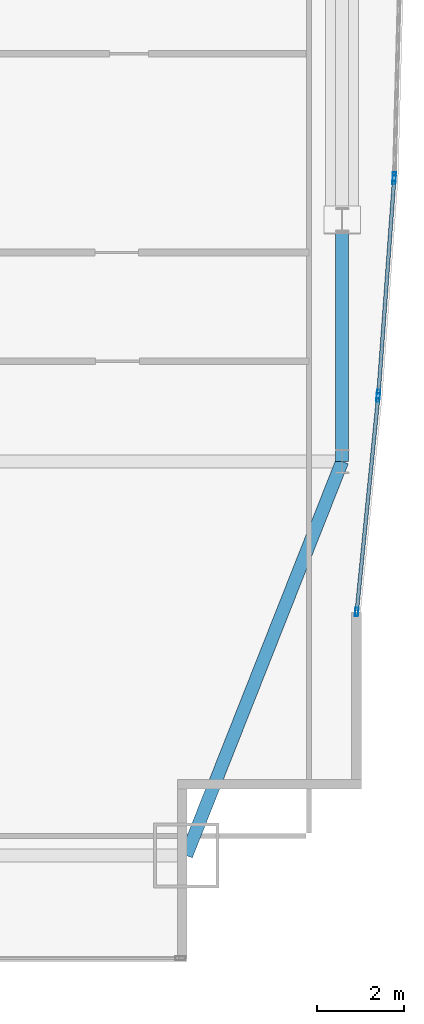
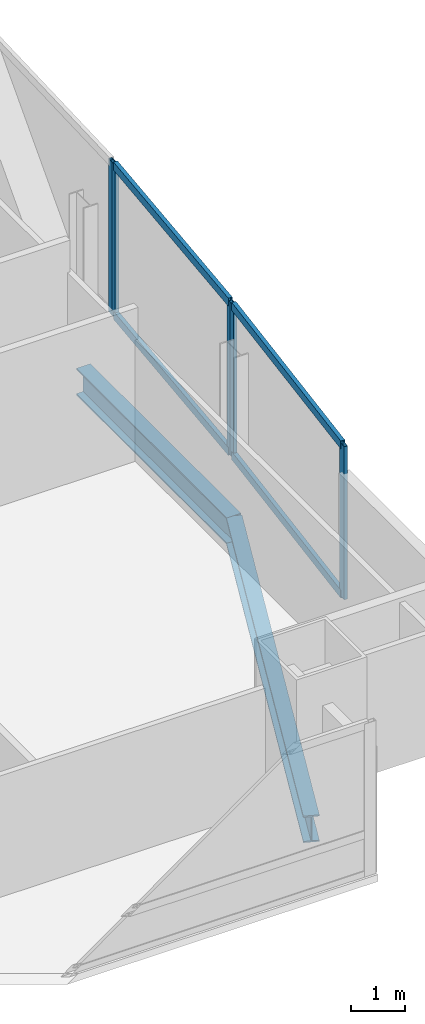
# One storey, part 21 of 31: 9 members, 2 beams, 3 elements without a shape of their own.
"""IFC4 building model written with IfcOpenShell, lengths in metres."""

from ifc_helpers import new_model, si_unit, direction, frame, origin, origin_2d, place, context, subcontext, project, spatial, hollow_rectangle, i_section, extrude, material, material_profile, profile_set, type_object, element, aggregate, save


model = new_model("IFC4")

# Units and contexts
model_context = context("Model", 3, precision=1e-05, world=origin(), true_north=direction((0.0, 1.0)))
body_context = subcontext(model_context, "Body", "Model", "MODEL_VIEW")
ifc_project = project(units=[si_unit("LENGTHUNIT", "METRE"), si_unit("AREAUNIT", "SQUARE_METRE"), si_unit("VOLUMEUNIT", "CUBIC_METRE"), si_unit("PLANEANGLEUNIT", "RADIAN"), si_unit("MASSUNIT", "GRAM", prefix="KILO")], contexts=[model_context])

# Site, building, storey
site_placement = place(None, origin())
site = spatial("IfcSite", under=ifc_project, at=site_placement, CompositionType="ELEMENT")
building_placement = place(site_placement, origin())
building = spatial("IfcBuilding", under=site, at=building_placement, Name="Khoronbel Lancet Exchange", CompositionType="ELEMENT")
storey_placement = place(building_placement, frame((0.0, 0.0, 129.0)))
storey = spatial("IfcBuildingStorey", under=building, at=storey_placement, Name="L31", CompositionType="ELEMENT", Elevation=129.0)

# Beams
ifc_material_1 = material(Name="Steel S355", Category="steel")
ifc_material_profile_1 = material_profile(ifc_material_1, i_section(OverallWidth=0.300048828125, OverallDepth=0.60009765625, WebThickness=0.015380859375, FlangeThickness=0.030029296875, at=origin_2d()), Name="HEB 600")
ifc_profile_set_1 = profile_set([ifc_material_profile_1], Name="Steel S355")
beam_type = type_object("IfcBeamType", Name="BM-BSP2", PredefinedType="SPANDREL", material=ifc_profile_set_1)
beam_1_placement = place(storey_placement, frame((66.050048828125, 10.14990234375, -0.4599609375), z_axis=(0.367828403855, 0.929893684954, 0.0), x_axis=(-0.929893684954, 0.367828403855, 0.0)))
element("IfcBeam", 1, at=beam_1_placement, inside=storey, type_object=beam_type, Name="Level L31 perimeter spandrel beam SP10", PredefinedType="SPANDREL", context=body_context, shape_type="SweptSolid", body=[
    extrude(i_section(OverallWidth=0.300048828125, OverallDepth=0.60009765625, WebThickness=0.015380859375, FlangeThickness=0.030029296875, at=origin_2d()), origin(), (0.0, 0.0, 1.0), 9.732421875),
])
beam_2_placement = place(storey_placement, frame((69.6298828125, 19.199951171875, -0.4599609375), z_axis=(0.0, 1.0, 0.0), x_axis=(-1.0, 0.0, 0.0)))
element("IfcBeam", 2, at=beam_2_placement, inside=storey, type_object=beam_type, Name="Level L31 perimeter spandrel beam SP11", PredefinedType="SPANDREL", context=body_context, shape_type="SweptSolid", body=[
    extrude(i_section(OverallWidth=0.300048828125, OverallDepth=0.60009765625, WebThickness=0.015380859375, FlangeThickness=0.030029296875, at=origin_2d()), origin(), (0.0, 0.0, 1.0), 5.550048828125),
])

# Curtain wall, member
ifc_material_2 = material(Name="Low-E Solar Control Insulating Glass", Category="glass")
curtain_wall_type = type_object("IfcCurtainWallType", Name="CW-4", PredefinedType="NOTDEFINED", material=ifc_material_2)
curtain_wall_1_placement = place(storey_placement, origin())
curtain_wall_1 = element("IfcCurtainWall", 3, at=curtain_wall_1_placement, inside=storey, type_object=curtain_wall_type, Name="Unitised curtain wall CW-L31-E20", PredefinedType="NOTDEFINED")
ifc_material_3 = material(Name="Bronze-Anodised Aluminium 6063-T6", Category="aluminium")
ifc_material_profile_2 = material_profile(ifc_material_3, hollow_rectangle(XDim=0.074951171875, YDim=0.199951171875, WallThickness=0.0048828125, at=origin_2d()), Name="ALU MULLION 75x200")
ifc_profile_set_2 = profile_set([ifc_material_profile_2], Name="Bronze-Anodised Aluminium 6063-T6")
member_type_1 = type_object("IfcMemberType", Name="MEM-CWM2", PredefinedType="MULLION", material=ifc_profile_set_2)
member_1_placement = place(storey_placement, frame((70.8271484375, 25.741943359375, 0.0), z_axis=(0.0, 0.0, 1.0), x_axis=(0.99964096293, -0.026794500031, 0.0)))
member_1 = element("IfcMember", 4, at=member_1_placement, type_object=member_type_1, Name="CW4 mullion 2", PredefinedType="MULLION", context=body_context, shape_type="SweptSolid", body=[
    extrude(hollow_rectangle(XDim=0.074951171875, YDim=0.199951171875, WallThickness=0.0048828125, at=origin_2d()), origin(), (0.0, 0.0, 1.0), 3.43994140625),
])
aggregate(curtain_wall_1, [member_1])

# Curtain wall, members
curtain_wall_2_placement = place(storey_placement, origin())
curtain_wall_2 = element("IfcCurtainWall", 5, at=curtain_wall_2_placement, inside=storey, type_object=curtain_wall_type, Name="Unitised curtain wall CW-L31-E21", PredefinedType="NOTDEFINED")
member_2_placement = place(storey_placement, frame((70.8232421875, 25.6669921875, 0.0), z_axis=(0.0, 0.0, 1.0), x_axis=(0.997330994662, -0.073012924107, 0.0)))
member_2 = element("IfcMember", 6, at=member_2_placement, type_object=member_type_1, Name="CW4 mullion 1", PredefinedType="MULLION", context=body_context, shape_type="SweptSolid", body=[
    extrude(hollow_rectangle(XDim=0.074951171875, YDim=0.199951171875, WallThickness=0.0048828125, at=origin_2d()), origin(), (0.0, 0.0, 1.0), 3.43994140625),
])
member_3_placement = place(storey_placement, frame((70.463134765625, 20.7451171875, 0.0), z_axis=(0.0, 0.0, 1.0), x_axis=(0.997330994662, -0.073012924107, 0.0)))
member_3 = element("IfcMember", 7, at=member_3_placement, type_object=member_type_1, Name="CW4 mullion 2", PredefinedType="MULLION", context=body_context, shape_type="SweptSolid", body=[
    extrude(hollow_rectangle(XDim=0.074951171875, YDim=0.199951171875, WallThickness=0.0048828125, at=origin_2d()), origin(), (0.0, 0.0, 1.0), 3.43994140625),
])

curtain_wall_3_placement = place(storey_placement, origin())
curtain_wall_3 = element("IfcCurtainWall", 8, at=curtain_wall_3_placement, inside=storey, type_object=curtain_wall_type, Name="Unitised curtain wall CW-L31-E22", PredefinedType="NOTDEFINED")
member_4_placement = place(storey_placement, frame((70.45654296875, 20.67041015625, 0.0), z_axis=(0.0, 0.0, 1.0), x_axis=(0.995037780914, -0.099497811805, 0.0)))
member_4 = element("IfcMember", 9, at=member_4_placement, type_object=member_type_1, Name="CW4 mullion 1", PredefinedType="MULLION", context=body_context, shape_type="SweptSolid", body=[
    extrude(hollow_rectangle(XDim=0.074951171875, YDim=0.199951171875, WallThickness=0.0048828125, at=origin_2d()), origin(), (0.0, 0.0, 1.0), 3.43994140625),
])
member_5_placement = place(storey_placement, frame((69.963623046875, 15.74169921875, 0.0), z_axis=(0.0, 0.0, 1.0), x_axis=(0.995037780914, -0.099497811805, 0.0)))
member_5 = element("IfcMember", 10, at=member_5_placement, type_object=member_type_1, Name="CW4 mullion 2", PredefinedType="MULLION", context=body_context, shape_type="SweptSolid", body=[
    extrude(hollow_rectangle(XDim=0.074951171875, YDim=0.199951171875, WallThickness=0.0048828125, at=origin_2d()), origin(), (0.0, 0.0, 1.0), 3.43994140625),
])

# Member
ifc_material_profile_3 = material_profile(ifc_material_3, hollow_rectangle(XDim=0.0849609375, YDim=0.179931640625, WallThickness=0.0048828125, at=origin_2d()), Name="ALU TRANSOM 85x180")
ifc_profile_set_3 = profile_set([ifc_material_profile_3], Name="Bronze-Anodised Aluminium 6063-T6")
member_type_2 = type_object("IfcMemberType", Name="MEM-CWT1", PredefinedType="USERDEFINED", material=ifc_profile_set_3)
member_6_placement = place(storey_placement, frame((70.820556640625, 25.629638671875, 0.04248046875), z_axis=(-0.072992700657, -0.997332474981, 0.0), x_axis=(0.997332474981, -0.072992700657, 0.0)))
member_6 = element("IfcMember", 11, at=member_6_placement, type_object=member_type_2, Name="CW4 transom 1.1", ObjectType="TRANSOM", PredefinedType="USERDEFINED", context=body_context, shape_type="SweptSolid", body=[
    extrude(hollow_rectangle(XDim=0.0849609375, YDim=0.179931640625, WallThickness=0.0048828125, at=origin_2d()), origin(), (0.0, 0.0, 1.0), 4.85986328125),
])

member_7_placement = place(storey_placement, frame((70.820556640625, 25.629638671875, 3.3974609375), z_axis=(-0.072992700657, -0.997332474981, 0.0), x_axis=(0.997332474981, -0.072992700657, 0.0)))
member_7 = element("IfcMember", 12, at=member_7_placement, type_object=member_type_2, Name="CW4 transom 1.2", ObjectType="TRANSOM", PredefinedType="USERDEFINED", context=body_context, shape_type="SweptSolid", body=[
    extrude(hollow_rectangle(XDim=0.0849609375, YDim=0.179931640625, WallThickness=0.0048828125, at=origin_2d()), origin(), (0.0, 0.0, 1.0), 4.85986328125),
])

aggregate(curtain_wall_2, [member_2, member_3, member_6, member_7])

member_8_placement = place(storey_placement, frame((70.452880859375, 20.633056640625, 0.04248046875), z_axis=(-0.099493808682, -0.995038181194, 0.0), x_axis=(0.995038181194, -0.099493808682, 0.0)))
member_8 = element("IfcMember", 13, at=member_8_placement, type_object=member_type_2, Name="CW4 transom 1.1", ObjectType="TRANSOM", PredefinedType="USERDEFINED", context=body_context, shape_type="SweptSolid", body=[
    extrude(hollow_rectangle(XDim=0.0849609375, YDim=0.179931640625, WallThickness=0.0048828125, at=origin_2d()), origin(), (0.0, 0.0, 1.0), 4.878173828125),
])

member_9_placement = place(storey_placement, frame((70.452880859375, 20.633056640625, 3.3974609375), z_axis=(-0.099493808682, -0.995038181194, 0.0), x_axis=(0.995038181194, -0.099493808682, 0.0)))
member_9 = element("IfcMember", 14, at=member_9_placement, type_object=member_type_2, Name="CW4 transom 1.2", ObjectType="TRANSOM", PredefinedType="USERDEFINED", context=body_context, shape_type="SweptSolid", body=[
    extrude(hollow_rectangle(XDim=0.0849609375, YDim=0.179931640625, WallThickness=0.0048828125, at=origin_2d()), origin(), (0.0, 0.0, 1.0), 4.878173828125),
])

aggregate(curtain_wall_3, [member_4, member_5, member_8, member_9])

save(model, "model.ifc")
